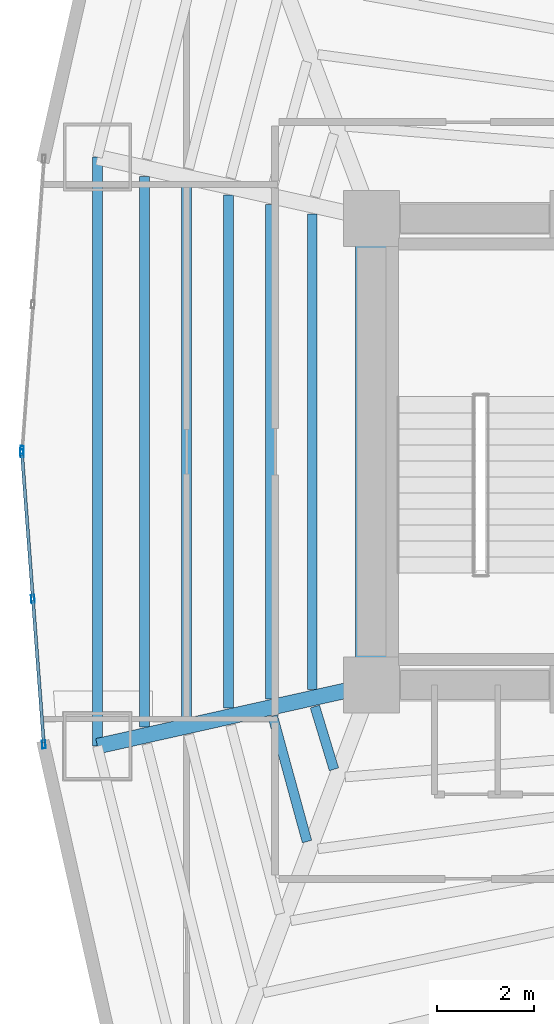
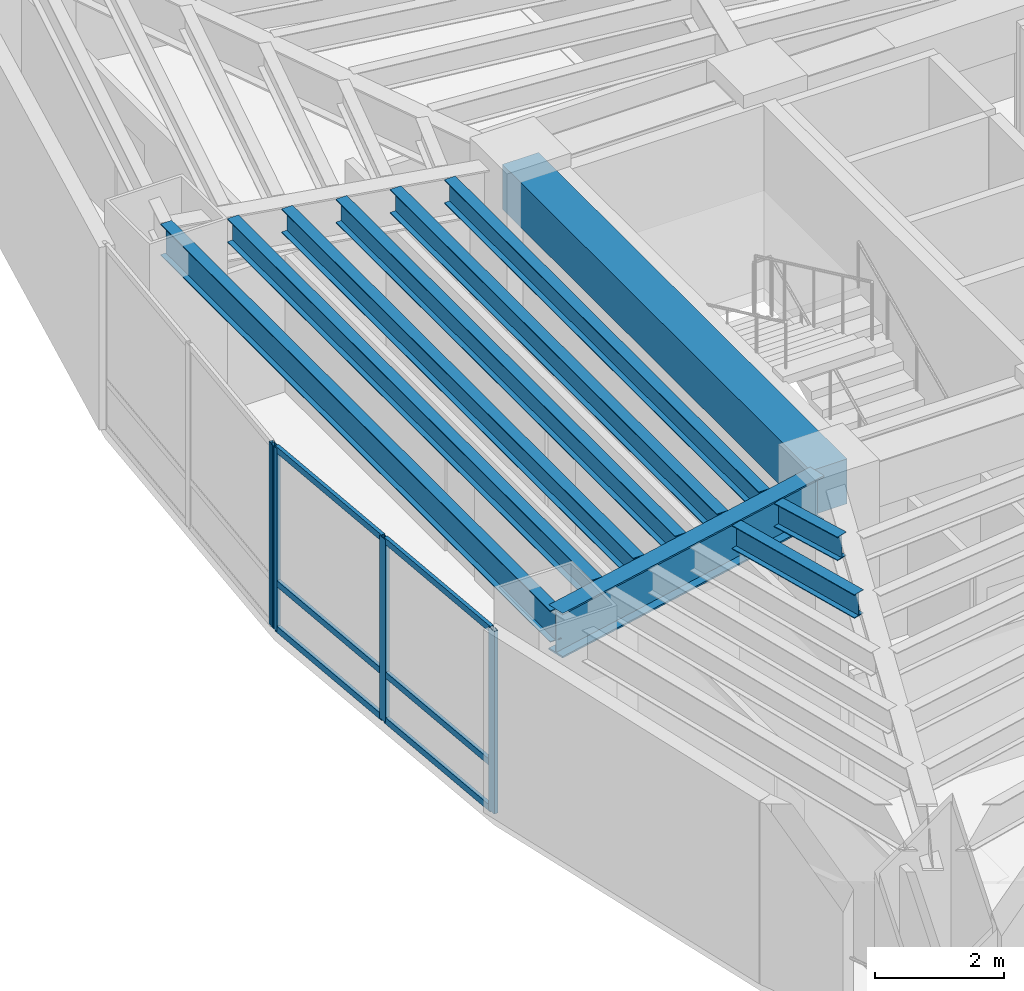
# One storey, part 3 of 17: 10 beams, 10 members, 2 elements without a shape of their own.
"""IFC4 building model written with IfcOpenShell, lengths in metres."""

from ifc_helpers import new_model, si_unit, direction, frame, origin, origin_2d, place, context, subcontext, project, spatial, rectangle, hollow_rectangle, i_section, extrude, material, layer, layer_set, material_profile, profile_set, type_object, element, aggregate, save


model = new_model("IFC4")

# Units and contexts
model_context = context("Model", 3, precision=1e-05, world=origin(), true_north=direction((0.0, 1.0)))
body_context = subcontext(model_context, "Body", "Model", "MODEL_VIEW")
ifc_project = project(units=[si_unit("LENGTHUNIT", "METRE"), si_unit("AREAUNIT", "SQUARE_METRE"), si_unit("VOLUMEUNIT", "CUBIC_METRE"), si_unit("PLANEANGLEUNIT", "RADIAN"), si_unit("MASSUNIT", "GRAM", prefix="KILO")], contexts=[model_context])

# Site, building, storey
site_placement = place(None, origin())
site = spatial("IfcSite", under=ifc_project, at=site_placement, CompositionType="ELEMENT")
building_placement = place(site_placement, origin())
building = spatial("IfcBuilding", under=site, at=building_placement, Name="Menara Vayukalpa", CompositionType="ELEMENT")
storey_placement = place(building_placement, frame((0.0, 0.0, 42.47998046875)))
storey = spatial("IfcBuildingStorey", under=building, at=storey_placement, Name="L09", CompositionType="ELEMENT", Elevation=42.47998046875)

# Beams
ifc_material_1 = material(Name="Concrete C60/75", Category="concrete")
ifc_material_profile_1 = material_profile(ifc_material_1, rectangle(XDim=0.64990234375, YDim=0.85009765625, at=origin_2d()), Name="RC 650x850")
ifc_profile_set_1 = profile_set([ifc_material_profile_1], Name="Concrete C60/75")
beam_type_1 = type_object("IfcBeamType", Name="BM-CB1", PredefinedType="BEAM", material=ifc_profile_set_1)
beam_1_placement = place(storey_placement, frame((17.800048828125, 17.199951171875, 3.044921875), z_axis=(0.0, 1.0, 0.0), x_axis=(-1.0, 0.0, 0.0)))
element("IfcBeam", 1, at=beam_1_placement, inside=storey, type_object=beam_type_1, Name="L09 Core Tie Beam CBR7", PredefinedType="BEAM", context=body_context, shape_type="SweptSolid", body=[
    extrude(rectangle(XDim=0.64990234375, YDim=0.85009765625, at=origin_2d()), origin(), (0.0, 0.0, 1.0), 9.60009765625),
])
ifc_material_2 = material(Name="Steel S355", Category="steel")
ifc_material_profile_2 = material_profile(ifc_material_2, i_section(OverallWidth=0.320068359375, OverallDepth=0.85009765625, WebThickness=0.01611328125, FlangeThickness=0.030029296875, at=origin_2d()), Name="WF 850x320x16x30")
ifc_profile_set_2 = profile_set([ifc_material_profile_2], Name="Steel S355")
beam_type_2 = type_object("IfcBeamType", Name="BM-PG2", PredefinedType="BEAM", material=ifc_profile_set_2)
beam_2_placement = place(storey_placement, frame((17.555908203125, 17.1455078125, 3.044921875), z_axis=(-0.975920137818, -0.218128138031, 0.0), x_axis=(0.218128138031, -0.975920137818, 0.0)))
element("IfcBeam", 2, at=beam_2_placement, inside=storey, type_object=beam_type_2, Name="L09 Primary Radial Girder RG06", PredefinedType="BEAM", context=body_context, shape_type="SweptSolid", body=[
    extrude(i_section(OverallWidth=0.320068359375, OverallDepth=0.85009765625, WebThickness=0.01611328125, FlangeThickness=0.030029296875, at=origin_2d()), origin(), (0.0, 0.0, 1.0), 5.524658203125),
])
ifc_material_3 = material(Name="Steel S355", Category="steel")
ifc_material_profile_3 = material_profile(ifc_material_3, i_section(OverallWidth=0.199951171875, OverallDepth=0.449951171875, WebThickness=0.009033203125, FlangeThickness=0.013916015625, at=origin_2d()), Name="WF 450x200x9x14")
ifc_profile_set_3 = profile_set([ifc_material_profile_3], Name="Steel S355")
beam_type_3 = type_object("IfcBeamType", Name="BM-SJ1", PredefinedType="JOIST", material=ifc_profile_set_3)
beam_3_placement = place(storey_placement, frame((16.58544921875, 26.891357421875, 3.2451171875), z_axis=(0.0, -1.0, 0.0), x_axis=(1.0, 0.0, 0.0)))
element("IfcBeam", 3, at=beam_3_placement, inside=storey, type_object=beam_type_3, Name="L09 Secondary Floor Joist SJ05-1", PredefinedType="JOIST", context=body_context, shape_type="SweptSolid", body=[
    extrude(i_section(OverallWidth=0.199951171875, OverallDepth=0.449951171875, WebThickness=0.009033203125, FlangeThickness=0.013916015625, at=origin_2d()), origin(), (0.0, 0.0, 1.0), 9.78271484375),
])
beam_4_placement = place(storey_placement, frame((15.722900390625, 27.084228515625, 3.2451171875), z_axis=(0.0, -1.0, 0.0), x_axis=(1.0, 0.0, 0.0)))
element("IfcBeam", 4, at=beam_4_placement, inside=storey, type_object=beam_type_3, Name="L09 Secondary Floor Joist SJ05-2", PredefinedType="JOIST", context=body_context, shape_type="SweptSolid", body=[
    extrude(i_section(OverallWidth=0.199951171875, OverallDepth=0.449951171875, WebThickness=0.009033203125, FlangeThickness=0.013916015625, at=origin_2d()), origin(), (0.0, 0.0, 1.0), 10.16845703125),
])
beam_5_placement = place(storey_placement, frame((14.860107421875, 27.277099609375, 3.2451171875), z_axis=(0.0, -1.0, 0.0), x_axis=(1.0, 0.0, 0.0)))
element("IfcBeam", 5, at=beam_5_placement, inside=storey, type_object=beam_type_3, Name="L09 Secondary Floor Joist SJ05-3", PredefinedType="JOIST", context=body_context, shape_type="SweptSolid", body=[
    extrude(i_section(OverallWidth=0.199951171875, OverallDepth=0.449951171875, WebThickness=0.009033203125, FlangeThickness=0.013916015625, at=origin_2d()), origin(), (0.0, 0.0, 1.0), 10.55419921875),
])
beam_6_placement = place(storey_placement, frame((13.997314453125, 27.469970703125, 3.2451171875), z_axis=(0.0, -1.0, 0.0), x_axis=(1.0, 0.0, 0.0)))
element("IfcBeam", 6, at=beam_6_placement, inside=storey, type_object=beam_type_3, Name="L09 Secondary Floor Joist SJ05-4", PredefinedType="JOIST", context=body_context, shape_type="SweptSolid", body=[
    extrude(i_section(OverallWidth=0.199951171875, OverallDepth=0.449951171875, WebThickness=0.009033203125, FlangeThickness=0.013916015625, at=origin_2d()), origin(), (0.0, 0.0, 1.0), 10.93994140625),
])
beam_7_placement = place(storey_placement, frame((13.134765625, 27.66259765625, 3.2451171875), z_axis=(0.0, -1.0, 0.0), x_axis=(1.0, 0.0, 0.0)))
element("IfcBeam", 7, at=beam_7_placement, inside=storey, type_object=beam_type_3, Name="L09 Secondary Floor Joist SJ05-5", PredefinedType="JOIST", context=body_context, shape_type="SweptSolid", body=[
    extrude(i_section(OverallWidth=0.199951171875, OverallDepth=0.449951171875, WebThickness=0.009033203125, FlangeThickness=0.013916015625, at=origin_2d()), origin(), (0.0, 0.0, 1.0), 11.3251953125),
])
beam_8_placement = place(storey_placement, frame((16.6376953125, 16.75634765625, 3.2451171875), z_axis=(0.291010568606, -0.956719838281, 0.0), x_axis=(0.956719838281, 0.291010568606, 0.0)))
element("IfcBeam", 8, at=beam_8_placement, inside=storey, type_object=beam_type_3, Name="L09 Secondary Floor Joist SJ06-1", PredefinedType="JOIST", context=body_context, shape_type="SweptSolid", body=[
    extrude(i_section(OverallWidth=0.199951171875, OverallDepth=0.449951171875, WebThickness=0.009033203125, FlangeThickness=0.013916015625, at=origin_2d()), origin(), (0.0, 0.0, 1.0), 1.3505859375),
])
beam_9_placement = place(storey_placement, frame((15.770263671875, 16.56201171875, 3.2451171875), z_axis=(0.263618546233, -0.964627006714, 0.0), x_axis=(0.964627006714, 0.263618546233, 0.0)))
element("IfcBeam", 9, at=beam_9_placement, inside=storey, type_object=beam_type_3, Name="L09 Secondary Floor Joist SJ06-2", PredefinedType="JOIST", context=body_context, shape_type="SweptSolid", body=[
    extrude(i_section(OverallWidth=0.199951171875, OverallDepth=0.449951171875, WebThickness=0.009033203125, FlangeThickness=0.013916015625, at=origin_2d()), origin(), (0.0, 0.0, 1.0), 2.67919921875),
])
ifc_material_4 = material(Name="Steel S355", Category="steel")
ifc_material_profile_4 = material_profile(ifc_material_4, i_section(OverallWidth=0.199951171875, OverallDepth=0.60009765625, WebThickness=0.010986328125, FlangeThickness=0.01708984375, at=origin_2d()), Name="WF 600x200x11x17")
ifc_profile_set_4 = profile_set([ifc_material_profile_4], Name="Steel S355")
beam_type_4 = type_object("IfcBeamType", Name="BM-SP1", PredefinedType="SPANDREL", material=ifc_profile_set_4)
beam_10_placement = place(storey_placement, frame((12.164306640625, 28.0595703125, 3.169921875), z_axis=(0.0, -1.0, 0.0), x_axis=(1.0, 0.0, 0.0)))
element("IfcBeam", 10, at=beam_10_placement, inside=storey, type_object=beam_type_4, Name="L09 Perimeter Spandrel Beam SP05", PredefinedType="SPANDREL", context=body_context, shape_type="SweptSolid", body=[
    extrude(i_section(OverallWidth=0.199951171875, OverallDepth=0.60009765625, WebThickness=0.010986328125, FlangeThickness=0.01708984375, at=origin_2d()), origin(), (0.0, 0.0, 1.0), 12.119140625),
])

# Curtain wall, member
ifc_material_5 = material(Name="Anodised Terracotta Aluminium Alloy 6063-T6", Category="masonry")
ifc_layer = layer(ifc_material_5, 0.1650390625)
ifc_layer_set = layer_set([ifc_layer], Name="Anodised Terracotta Aluminium Alloy 6063-T6")
curtain_wall_type = type_object("IfcCurtainWallType", Name="CW-CW2", PredefinedType="USERDEFINED", material=ifc_layer_set)
curtain_wall_1_placement = place(storey_placement, origin())
curtain_wall_1 = element("IfcCurtainWall", 11, at=curtain_wall_1_placement, inside=storey, type_object=curtain_wall_type, Name="L09 Low Rise Terracotta Ribbon Curtain Wall CW2 10", ObjectType="UNITISED", PredefinedType="USERDEFINED")
ifc_material_6 = material(Name="Anodised Terracotta Aluminium Alloy 6063-T6", Category="masonry")
ifc_material_profile_5 = material_profile(ifc_material_6, hollow_rectangle(XDim=0.070068359375, YDim=0.1650390625, WallThickness=0.00390625, at=origin_2d()), Name="ALU 70x165x4")
ifc_profile_set_5 = profile_set([ifc_material_profile_5], Name="Anodised Terracotta Aluminium Alloy 6063-T6")
member_type_1 = type_object("IfcMemberType", Name="CWM-CW2", PredefinedType="MULLION", material=ifc_profile_set_5)
member_1_placement = place(storey_placement, frame((10.6123046875, 22.034912109375, 0.0), z_axis=(0.0, 0.0, 1.0), x_axis=(0.997198941676, -0.074794857576, 0.0)))
member_1 = element("IfcMember", 12, at=member_1_placement, type_object=member_type_1, Name="CW2 mullion 3", PredefinedType="MULLION", context=body_context, shape_type="SweptSolid", body=[
    extrude(hollow_rectangle(XDim=0.070068359375, YDim=0.1650390625, WallThickness=0.00390625, at=origin_2d()), origin(), (0.0, 0.0, 1.0), 3.469970703125),
])
aggregate(curtain_wall_1, [member_1])

# Curtain wall, members
curtain_wall_2_placement = place(storey_placement, origin())
curtain_wall_2 = element("IfcCurtainWall", 13, at=curtain_wall_2_placement, inside=storey, type_object=curtain_wall_type, Name="L09 Low Rise Terracotta Ribbon Curtain Wall CW2 11", ObjectType="UNITISED", PredefinedType="USERDEFINED")
member_2_placement = place(storey_placement, frame((10.6123046875, 21.965087890625, 0.0), z_axis=(0.0, 0.0, 1.0), x_axis=(0.997198941676, 0.074794857576, 0.0)))
member_2 = element("IfcMember", 14, at=member_2_placement, type_object=member_type_1, Name="CW2 mullion 1", PredefinedType="MULLION", context=body_context, shape_type="SweptSolid", body=[
    extrude(hollow_rectangle(XDim=0.070068359375, YDim=0.1650390625, WallThickness=0.00390625, at=origin_2d()), origin(), (0.0, 0.0, 1.0), 3.469970703125),
])
member_3_placement = place(storey_placement, frame((10.8369140625, 18.97021484375, 0.0), z_axis=(0.0, 0.0, 1.0), x_axis=(0.997198941676, 0.074794857576, 0.0)))
member_3 = element("IfcMember", 15, at=member_3_placement, type_object=member_type_1, Name="CW2 mullion 2", PredefinedType="MULLION", context=body_context, shape_type="SweptSolid", body=[
    extrude(hollow_rectangle(XDim=0.070068359375, YDim=0.1650390625, WallThickness=0.00390625, at=origin_2d()), origin(), (0.0, 0.0, 1.0), 3.469970703125),
])
member_4_placement = place(storey_placement, frame((11.0615234375, 15.975341796875, 0.0), z_axis=(0.0, 0.0, 1.0), x_axis=(0.997198941676, 0.074794857576, 0.0)))
member_4 = element("IfcMember", 16, at=member_4_placement, type_object=member_type_1, Name="CW2 mullion 3", PredefinedType="MULLION", context=body_context, shape_type="SweptSolid", body=[
    extrude(hollow_rectangle(XDim=0.070068359375, YDim=0.1650390625, WallThickness=0.00390625, at=origin_2d()), origin(), (0.0, 0.0, 1.0), 3.469970703125),
])
ifc_material_7 = material(Name="Anodised Terracotta Aluminium Alloy 6063-T6", Category="masonry")
ifc_material_profile_6 = material_profile(ifc_material_7, hollow_rectangle(XDim=0.06494140625, YDim=0.1201171875, WallThickness=0.00341796875, at=origin_2d()), Name="ALU 65x120x3.5")
ifc_profile_set_6 = profile_set([ifc_material_profile_6], Name="Anodised Terracotta Aluminium Alloy 6063-T6")
member_type_2 = type_object("IfcMemberType", Name="CWT-CW2", PredefinedType="USERDEFINED", material=ifc_profile_set_6)
member_5_placement = place(storey_placement, frame((10.614990234375, 21.93017578125, 0.032470703125), z_axis=(0.074742357441, -0.997202878057, 0.0), x_axis=(0.997202878057, 0.074742357441, 0.0)))
member_5 = element("IfcMember", 17, at=member_5_placement, type_object=member_type_2, Name="CW2 transom 1.1", ObjectType="TRANSOM", PredefinedType="USERDEFINED", context=body_context, shape_type="SweptSolid", body=[
    extrude(hollow_rectangle(XDim=0.06494140625, YDim=0.1201171875, WallThickness=0.00341796875, at=origin_2d()), origin(), (0.0, 0.0, 1.0), 2.933349609375),
])
member_6_placement = place(storey_placement, frame((10.614990234375, 21.93017578125, 0.89990234375), z_axis=(0.074742357441, -0.997202878057, 0.0), x_axis=(0.997202878057, 0.074742357441, 0.0)))
member_6 = element("IfcMember", 18, at=member_6_placement, type_object=member_type_2, Name="CW2 transom 1.2", ObjectType="TRANSOM", PredefinedType="USERDEFINED", context=body_context, shape_type="SweptSolid", body=[
    extrude(hollow_rectangle(XDim=0.06494140625, YDim=0.1201171875, WallThickness=0.00341796875, at=origin_2d()), origin(), (0.0, 0.0, 1.0), 2.933349609375),
])
member_7_placement = place(storey_placement, frame((10.614990234375, 21.93017578125, 3.4375), z_axis=(0.074742357441, -0.997202878057, 0.0), x_axis=(0.997202878057, 0.074742357441, 0.0)))
member_7 = element("IfcMember", 19, at=member_7_placement, type_object=member_type_2, Name="CW2 transom 1.3", ObjectType="TRANSOM", PredefinedType="USERDEFINED", context=body_context, shape_type="SweptSolid", body=[
    extrude(hollow_rectangle(XDim=0.06494140625, YDim=0.1201171875, WallThickness=0.00341796875, at=origin_2d()), origin(), (0.0, 0.0, 1.0), 2.933349609375),
])
member_8_placement = place(storey_placement, frame((10.839599609375, 18.935302734375, 0.032470703125), z_axis=(0.074825123723, -0.997196671103, 0.0), x_axis=(0.997196671103, 0.074825123723, 0.0)))
member_8 = element("IfcMember", 20, at=member_8_placement, type_object=member_type_2, Name="CW2 transom 2.1", ObjectType="TRANSOM", PredefinedType="USERDEFINED", context=body_context, shape_type="SweptSolid", body=[
    extrude(hollow_rectangle(XDim=0.06494140625, YDim=0.1201171875, WallThickness=0.00341796875, at=origin_2d()), origin(), (0.0, 0.0, 1.0), 2.933349609375),
])
member_9_placement = place(storey_placement, frame((10.839599609375, 18.935302734375, 0.89990234375), z_axis=(0.074825123723, -0.997196671103, 0.0), x_axis=(0.997196671103, 0.074825123723, 0.0)))
member_9 = element("IfcMember", 21, at=member_9_placement, type_object=member_type_2, Name="CW2 transom 2.2", ObjectType="TRANSOM", PredefinedType="USERDEFINED", context=body_context, shape_type="SweptSolid", body=[
    extrude(hollow_rectangle(XDim=0.06494140625, YDim=0.1201171875, WallThickness=0.00341796875, at=origin_2d()), origin(), (0.0, 0.0, 1.0), 2.933349609375),
])
member_10_placement = place(storey_placement, frame((10.839599609375, 18.935302734375, 3.4375), z_axis=(0.074825123723, -0.997196671103, 0.0), x_axis=(0.997196671103, 0.074825123723, 0.0)))
member_10 = element("IfcMember", 22, at=member_10_placement, type_object=member_type_2, Name="CW2 transom 2.3", ObjectType="TRANSOM", PredefinedType="USERDEFINED", context=body_context, shape_type="SweptSolid", body=[
    extrude(hollow_rectangle(XDim=0.06494140625, YDim=0.1201171875, WallThickness=0.00341796875, at=origin_2d()), origin(), (0.0, 0.0, 1.0), 2.933349609375),
])
aggregate(curtain_wall_2, [member_2, member_3, member_4, member_5, member_6, member_7, member_8, member_9, member_10])

save(model, "model.ifc")
